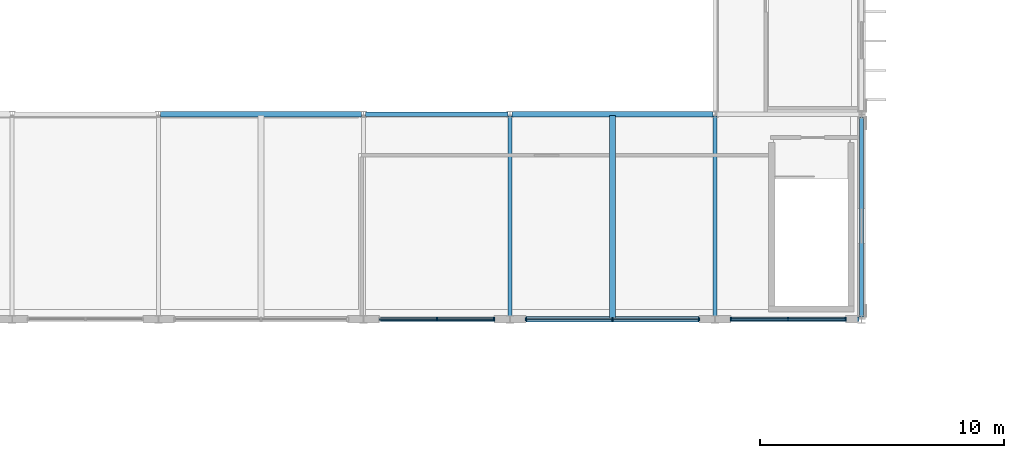
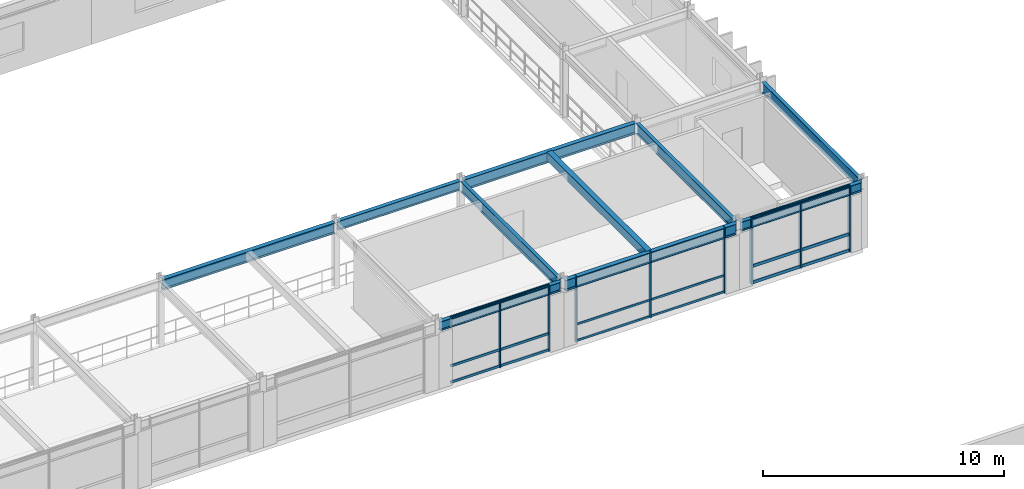
# One storey, part 21 of 88: 17 members, 10 beams, 3 elements without a shape of their own.
"""IFC4 building model written with IfcOpenShell, lengths in metres."""

from ifc_helpers import new_model, si_unit, direction, frame, origin, origin_2d, place, context, subcontext, project, spatial, rectangle, i_section, extrude, material, material_profile, profile_set, type_object, element, aggregate, save


model = new_model("IFC4")

# Units and contexts
model_context = context("Model", 3, precision=1e-05, world=origin(), true_north=direction((0.0, 1.0)))
body_context = subcontext(model_context, "Body", "Model", "MODEL_VIEW")
ifc_project = project(units=[si_unit("LENGTHUNIT", "METRE"), si_unit("AREAUNIT", "SQUARE_METRE"), si_unit("VOLUMEUNIT", "CUBIC_METRE"), si_unit("PLANEANGLEUNIT", "RADIAN"), si_unit("MASSUNIT", "GRAM", prefix="KILO"), si_unit("THERMODYNAMICTEMPERATUREUNIT", "KELVIN")], contexts=[model_context])

# Site, building, storey
site_placement = place(None, origin())
site = spatial("IfcSite", under=ifc_project, at=site_placement, CompositionType="ELEMENT")
building_placement = place(site_placement, origin())
building = spatial("IfcBuilding", under=site, at=building_placement, Name="Thalorik Housing Commons", CompositionType="ELEMENT")
storey_placement = place(building_placement, frame((0.0, 0.0, 4.5)))
storey = spatial("IfcBuildingStorey", under=building, at=storey_placement, Name="L01", CompositionType="ELEMENT", Elevation=4.5)

# Curtain wall, members
ifc_material_1 = material(Name="Anodised aluminium and solar-control low-E glass", Category="aluminium")
curtain_wall_type = type_object("IfcCurtainWallType", Name="ARC-CW-CIVIC", PredefinedType="USERDEFINED", material=ifc_material_1)
curtain_wall_1_placement = place(storey_placement, origin())
curtain_wall_1 = element("IfcCurtainWall", 1, at=curtain_wall_1_placement, inside=storey, type_object=curtain_wall_type, Name="L01 Curtain Wall CW-HALL-L01-218", ObjectType="CURTAIN WALL", PredefinedType="USERDEFINED")
ifc_material_2 = material(Name="Anodised aluminium 6063-T6", Category="aluminium")
ifc_material_profile_1 = material_profile(ifc_material_2, rectangle(XDim=0.054931640625, YDim=0.139892578125, at=origin_2d()), Name="ALU MUL 55x140", Category="aluminium")
ifc_profile_set_1 = profile_set([ifc_material_profile_1], Name="Anodised aluminium 6063-T6")
member_type_1 = type_object("IfcMemberType", Name="ARC-CW-MUL-55x140", PredefinedType="MULLION", material=ifc_profile_set_1)
member_1_placement = place(storey_placement, frame((101.449951171875, 57.60009765625, 0.0), z_axis=(0.0, 0.0, 1.0), x_axis=(1.0, 0.0, 0.0)))
member_1 = element("IfcMember", 2, at=member_1_placement, type_object=member_type_1, Name="CW-HALL-L01-218 Mullion 1", PredefinedType="MULLION", context=body_context, shape_type="SweptSolid", body=[
    extrude(rectangle(XDim=0.054931640625, YDim=0.139892578125, at=origin_2d()), origin(), (0.0, 0.0, 1.0), 3.340087890625),
])
member_2_placement = place(storey_placement, frame((105.0, 57.60009765625, 0.0), z_axis=(0.0, 0.0, 1.0), x_axis=(1.0, 0.0, 0.0)))
member_2 = element("IfcMember", 3, at=member_2_placement, type_object=member_type_1, Name="CW-HALL-L01-218 Mullion 2", PredefinedType="MULLION", context=body_context, shape_type="SweptSolid", body=[
    extrude(rectangle(XDim=0.054931640625, YDim=0.139892578125, at=origin_2d()), origin(), (0.0, 0.0, 1.0), 3.340087890625),
])
member_3_placement = place(storey_placement, frame((108.550048828125, 57.60009765625, 0.0), z_axis=(0.0, 0.0, 1.0), x_axis=(1.0, 0.0, 0.0)))
member_3 = element("IfcMember", 4, at=member_3_placement, type_object=member_type_1, Name="CW-HALL-L01-218 Mullion 3", PredefinedType="MULLION", context=body_context, shape_type="SweptSolid", body=[
    extrude(rectangle(XDim=0.054931640625, YDim=0.139892578125, at=origin_2d()), origin(), (0.0, 0.0, 1.0), 3.340087890625),
])

curtain_wall_2_placement = place(storey_placement, origin())
curtain_wall_2 = element("IfcCurtainWall", 5, at=curtain_wall_2_placement, inside=storey, type_object=curtain_wall_type, Name="L01 Curtain Wall CW-HALL-L01-217", ObjectType="CURTAIN WALL", PredefinedType="USERDEFINED")
ifc_material_profile_2 = material_profile(ifc_material_2, rectangle(XDim=0.06005859375, YDim=0.159912109375, at=origin_2d()), Name="ALU MUL 60x160", Category="aluminium")
ifc_profile_set_2 = profile_set([ifc_material_profile_2], Name="Anodised aluminium 6063-T6")
member_type_2 = type_object("IfcMemberType", Name="ARC-CW-MUL-60x160", PredefinedType="MULLION", material=ifc_profile_set_2)
member_4_placement = place(storey_placement, frame((97.800048828125, 57.60009765625, 0.0), z_axis=(0.0, 0.0, 1.0), x_axis=(1.0, 0.0, 0.0)))
member_4 = element("IfcMember", 6, at=member_4_placement, type_object=member_type_2, Name="CW-HALL-L01-217 Mullion 2", PredefinedType="MULLION", context=body_context, shape_type="SweptSolid", body=[
    extrude(rectangle(XDim=0.06005859375, YDim=0.159912109375, at=origin_2d()), origin(), (0.0, 0.0, 1.0), 3.340087890625),
])
member_5_placement = place(storey_placement, frame((100.14990234375, 57.60009765625, 0.0), z_axis=(0.0, 0.0, 1.0), x_axis=(1.0, 0.0, 0.0)))
member_5 = element("IfcMember", 7, at=member_5_placement, type_object=member_type_2, Name="CW-HALL-L01-217 Mullion 3", PredefinedType="MULLION", context=body_context, shape_type="SweptSolid", body=[
    extrude(rectangle(XDim=0.06005859375, YDim=0.159912109375, at=origin_2d()), origin(), (0.0, 0.0, 1.0), 3.340087890625),
])

curtain_wall_3_placement = place(storey_placement, origin())
curtain_wall_3 = element("IfcCurtainWall", 8, at=curtain_wall_3_placement, inside=storey, type_object=curtain_wall_type, Name="L01 Curtain Wall CW-HALL-L01-219", ObjectType="CURTAIN WALL", PredefinedType="USERDEFINED")
ifc_material_profile_3 = material_profile(ifc_material_2, rectangle(XDim=0.06494140625, YDim=0.179931640625, at=origin_2d()), Name="ALU MUL 65x180", Category="aluminium")
ifc_profile_set_3 = profile_set([ifc_material_profile_3], Name="Anodised aluminium 6063-T6")
member_type_3 = type_object("IfcMemberType", Name="ARC-CW-MUL-65x180", PredefinedType="MULLION", material=ifc_profile_set_3)
member_6_placement = place(storey_placement, frame((109.85009765625, 57.60009765625, 0.0), z_axis=(0.0, 0.0, 1.0), x_axis=(1.0, 0.0, 0.0)))
member_6 = element("IfcMember", 9, at=member_6_placement, type_object=member_type_3, Name="CW-HALL-L01-219 Mullion 1", PredefinedType="MULLION", context=body_context, shape_type="SweptSolid", body=[
    extrude(rectangle(XDim=0.06494140625, YDim=0.179931640625, at=origin_2d()), origin(), (0.0, 0.0, 1.0), 3.340087890625),
])
member_7_placement = place(storey_placement, frame((112.199951171875, 57.60009765625, 0.0), z_axis=(0.0, 0.0, 1.0), x_axis=(1.0, 0.0, 0.0)))
member_7 = element("IfcMember", 10, at=member_7_placement, type_object=member_type_3, Name="CW-HALL-L01-219 Mullion 2", PredefinedType="MULLION", context=body_context, shape_type="SweptSolid", body=[
    extrude(rectangle(XDim=0.06494140625, YDim=0.179931640625, at=origin_2d()), origin(), (0.0, 0.0, 1.0), 3.340087890625),
])
member_8_placement = place(storey_placement, frame((114.550048828125, 57.60009765625, 0.0), z_axis=(0.0, 0.0, 1.0), x_axis=(1.0, 0.0, 0.0)))
member_8 = element("IfcMember", 11, at=member_8_placement, type_object=member_type_3, Name="CW-HALL-L01-219 Mullion 3", PredefinedType="MULLION", context=body_context, shape_type="SweptSolid", body=[
    extrude(rectangle(XDim=0.06494140625, YDim=0.179931640625, at=origin_2d()), origin(), (0.0, 0.0, 1.0), 3.340087890625),
])

# Member
ifc_material_profile_4 = material_profile(ifc_material_2, rectangle(XDim=0.054931640625, YDim=0.10498046875, at=origin_2d()), Name="ALU TRN 55x105", Category="aluminium")
ifc_profile_set_4 = profile_set([ifc_material_profile_4], Name="Anodised aluminium 6063-T6")
member_type_4 = type_object("IfcMemberType", Name="ARC-CW-TRN-55x105", PredefinedType="USERDEFINED", material=ifc_profile_set_4)
member_9_placement = place(storey_placement, frame((101.449951171875, 57.60009765625, 0.054931640625), z_axis=(1.0, 0.0, 0.0), x_axis=(0.0, 1.0, 0.0)))
member_9 = element("IfcMember", 12, at=member_9_placement, type_object=member_type_4, Name="CW-HALL-L01-218 Transom 1", ObjectType="TRANSOM", PredefinedType="USERDEFINED", context=body_context, shape_type="SweptSolid", body=[
    extrude(rectangle(XDim=0.054931640625, YDim=0.10498046875, at=origin_2d()), origin(), (0.0, 0.0, 1.0), 7.10009765625),
])

member_10_placement = place(storey_placement, frame((101.449951171875, 57.60009765625, 0.8798828125), z_axis=(1.0, 0.0, 0.0), x_axis=(0.0, 1.0, 0.0)))
member_10 = element("IfcMember", 13, at=member_10_placement, type_object=member_type_4, Name="CW-HALL-L01-218 Transom 2", ObjectType="TRANSOM", PredefinedType="USERDEFINED", context=body_context, shape_type="SweptSolid", body=[
    extrude(rectangle(XDim=0.054931640625, YDim=0.10498046875, at=origin_2d()), origin(), (0.0, 0.0, 1.0), 7.10009765625),
])

member_11_placement = place(storey_placement, frame((101.449951171875, 57.60009765625, 3.284912109375), z_axis=(1.0, 0.0, 0.0), x_axis=(0.0, 1.0, 0.0)))
member_11 = element("IfcMember", 14, at=member_11_placement, type_object=member_type_4, Name="CW-HALL-L01-218 Transom 3", ObjectType="TRANSOM", PredefinedType="USERDEFINED", context=body_context, shape_type="SweptSolid", body=[
    extrude(rectangle(XDim=0.054931640625, YDim=0.10498046875, at=origin_2d()), origin(), (0.0, 0.0, 1.0), 7.10009765625),
])

aggregate(curtain_wall_1, [member_1, member_2, member_3, member_9, member_10, member_11])

ifc_material_profile_5 = material_profile(ifc_material_2, rectangle(XDim=0.06005859375, YDim=0.1201171875, at=origin_2d()), Name="ALU TRN 60x120", Category="aluminium")
ifc_profile_set_5 = profile_set([ifc_material_profile_5], Name="Anodised aluminium 6063-T6")
member_type_5 = type_object("IfcMemberType", Name="ARC-CW-TRN-60x120", PredefinedType="USERDEFINED", material=ifc_profile_set_5)
member_12_placement = place(storey_placement, frame((95.449951171875, 57.60009765625, 0.054931640625), z_axis=(1.0, 0.0, 0.0), x_axis=(0.0, 1.0, 0.0)))
member_12 = element("IfcMember", 15, at=member_12_placement, type_object=member_type_5, Name="CW-HALL-L01-217 Transom 1", ObjectType="TRANSOM", PredefinedType="USERDEFINED", context=body_context, shape_type="SweptSolid", body=[
    extrude(rectangle(XDim=0.06005859375, YDim=0.1201171875, at=origin_2d()), origin(), (0.0, 0.0, 1.0), 4.699951171875),
])

member_13_placement = place(storey_placement, frame((95.449951171875, 57.60009765625, 0.8798828125), z_axis=(1.0, 0.0, 0.0), x_axis=(0.0, 1.0, 0.0)))
member_13 = element("IfcMember", 16, at=member_13_placement, type_object=member_type_5, Name="CW-HALL-L01-217 Transom 2", ObjectType="TRANSOM", PredefinedType="USERDEFINED", context=body_context, shape_type="SweptSolid", body=[
    extrude(rectangle(XDim=0.06005859375, YDim=0.1201171875, at=origin_2d()), origin(), (0.0, 0.0, 1.0), 4.699951171875),
])

member_14_placement = place(storey_placement, frame((95.449951171875, 57.60009765625, 3.284912109375), z_axis=(1.0, 0.0, 0.0), x_axis=(0.0, 1.0, 0.0)))
member_14 = element("IfcMember", 17, at=member_14_placement, type_object=member_type_5, Name="CW-HALL-L01-217 Transom 3", ObjectType="TRANSOM", PredefinedType="USERDEFINED", context=body_context, shape_type="SweptSolid", body=[
    extrude(rectangle(XDim=0.06005859375, YDim=0.1201171875, at=origin_2d()), origin(), (0.0, 0.0, 1.0), 4.699951171875),
])

aggregate(curtain_wall_2, [member_4, member_5, member_12, member_13, member_14])

ifc_material_profile_6 = material_profile(ifc_material_2, rectangle(XDim=0.06494140625, YDim=0.14990234375, at=origin_2d()), Name="ALU TRN 65x150", Category="aluminium")
ifc_profile_set_6 = profile_set([ifc_material_profile_6], Name="Anodised aluminium 6063-T6")
member_type_6 = type_object("IfcMemberType", Name="ARC-CW-TRN-65x150", PredefinedType="USERDEFINED", material=ifc_profile_set_6)
member_15_placement = place(storey_placement, frame((109.85009765625, 57.60009765625, 0.054931640625), z_axis=(1.0, 0.0, 0.0), x_axis=(0.0, 1.0, 0.0)))
member_15 = element("IfcMember", 18, at=member_15_placement, type_object=member_type_6, Name="CW-HALL-L01-219 Transom 1", ObjectType="TRANSOM", PredefinedType="USERDEFINED", context=body_context, shape_type="SweptSolid", body=[
    extrude(rectangle(XDim=0.06494140625, YDim=0.14990234375, at=origin_2d()), origin(), (0.0, 0.0, 1.0), 4.699951171875),
])

member_16_placement = place(storey_placement, frame((109.85009765625, 57.60009765625, 0.8798828125), z_axis=(1.0, 0.0, 0.0), x_axis=(0.0, 1.0, 0.0)))
member_16 = element("IfcMember", 19, at=member_16_placement, type_object=member_type_6, Name="CW-HALL-L01-219 Transom 2", ObjectType="TRANSOM", PredefinedType="USERDEFINED", context=body_context, shape_type="SweptSolid", body=[
    extrude(rectangle(XDim=0.06494140625, YDim=0.14990234375, at=origin_2d()), origin(), (0.0, 0.0, 1.0), 4.699951171875),
])

member_17_placement = place(storey_placement, frame((109.85009765625, 57.60009765625, 3.284912109375), z_axis=(1.0, 0.0, 0.0), x_axis=(0.0, 1.0, 0.0)))
member_17 = element("IfcMember", 20, at=member_17_placement, type_object=member_type_6, Name="CW-HALL-L01-219 Transom 3", ObjectType="TRANSOM", PredefinedType="USERDEFINED", context=body_context, shape_type="SweptSolid", body=[
    extrude(rectangle(XDim=0.06494140625, YDim=0.14990234375, at=origin_2d()), origin(), (0.0, 0.0, 1.0), 4.699951171875),
])

aggregate(curtain_wall_3, [member_6, member_7, member_8, member_15, member_16, member_17])

# Beams
ifc_material_3 = material(Name="Steel S355", Category="steel")
ifc_material_profile_7 = material_profile(ifc_material_3, i_section(OverallWidth=0.19189453125, OverallDepth=0.462890625, WebThickness=0.010498046875, FlangeThickness=0.017578125, FilletRadius=0.011962890625, at=origin_2d()), Name="W460x89", Category="steel")
ifc_profile_set_7 = profile_set([ifc_material_profile_7], Name="Steel S355")
beam_type_1 = type_object("IfcBeamType", Name="STR-BM-W460x89", PredefinedType="BEAM", material=ifc_profile_set_7)
for number, where, z_axis, x_axis, name in (
    (21, (94.905029296875, 57.60009765625, 3.1083984375), (1.0, 0.0, 0.0), (0.0, 1.0, 0.0), "L01 Beam SB-460"),
    (22, (109.304931640625, 57.60009765625, 3.1083984375), (1.0, 0.0, 0.0), (0.0, 1.0, 0.0), "L01 Beam SB-460"),
):
    element("IfcBeam", number, at=place(storey_placement, frame(where, z_axis=z_axis, x_axis=x_axis)), inside=storey, type_object=beam_type_1, Name=name, PredefinedType="BEAM", context=body_context, shape_type="SweptSolid", body=[
        extrude(i_section(OverallWidth=0.19189453125, OverallDepth=0.462890625, WebThickness=0.010498046875, FlangeThickness=0.017578125, FilletRadius=0.011962890625, at=origin_2d()), origin(), (0.0, 0.0, 1.0), 5.7900390625),
    ])
beam_1_placement = place(storey_placement, frame((94.8798828125, 66.0, 3.1083984375), z_axis=(1.0, 0.0, 0.0), x_axis=(0.0, 1.0, 0.0)))
element("IfcBeam", 23, at=beam_1_placement, inside=storey, type_object=beam_type_1, Name="L01 Beam SB-460", PredefinedType="BEAM", context=body_context, shape_type="SweptSolid", body=[
    extrude(i_section(OverallWidth=0.19189453125, OverallDepth=0.462890625, WebThickness=0.010498046875, FlangeThickness=0.017578125, FilletRadius=0.011962890625, at=origin_2d()), origin(), (0.0, 0.0, 1.0), 5.840087890625),
])
ifc_material_profile_8 = material_profile(ifc_material_3, i_section(OverallWidth=0.2109375, OverallDepth=0.5390625, WebThickness=0.01171875, FlangeThickness=0.018798828125, FilletRadius=0.012939453125, at=origin_2d()), Name="W530x109", Category="steel")
ifc_profile_set_8 = profile_set([ifc_material_profile_8], Name="Steel S355")
beam_type_2 = type_object("IfcBeamType", Name="STR-BM-W530x109", PredefinedType="BEAM", material=ifc_profile_set_8)
beam_2_placement = place(storey_placement, frame((100.905029296875, 57.60009765625, 3.070556640625), z_axis=(1.0, 0.0, 0.0), x_axis=(0.0, 1.0, 0.0)))
element("IfcBeam", 24, at=beam_2_placement, inside=storey, type_object=beam_type_2, Name="L01 Beam SB-530", PredefinedType="BEAM", context=body_context, shape_type="SweptSolid", body=[
    extrude(i_section(OverallWidth=0.2109375, OverallDepth=0.5390625, WebThickness=0.01171875, FlangeThickness=0.018798828125, FilletRadius=0.012939453125, at=origin_2d()), origin(), (0.0, 0.0, 1.0), 8.18994140625),
])
beam_3_placement = place(storey_placement, frame((86.47998046875, 66.0, 3.070556640625), z_axis=(1.0, 0.0, 0.0), x_axis=(0.0, 1.0, 0.0)))
element("IfcBeam", 25, at=beam_3_placement, inside=storey, type_object=beam_type_2, Name="L01 Beam SB-530", PredefinedType="BEAM", context=body_context, shape_type="SweptSolid", body=[
    extrude(i_section(OverallWidth=0.2109375, OverallDepth=0.5390625, WebThickness=0.01171875, FlangeThickness=0.018798828125, FilletRadius=0.012939453125, at=origin_2d()), origin(), (0.0, 0.0, 1.0), 8.239990234375),
])
beam_4_placement = place(storey_placement, frame((100.8798828125, 66.0, 3.070556640625), z_axis=(1.0, 0.0, 0.0), x_axis=(0.0, 1.0, 0.0)))
element("IfcBeam", 26, at=beam_4_placement, inside=storey, type_object=beam_type_2, Name="L01 Beam SB-530", PredefinedType="BEAM", context=body_context, shape_type="SweptSolid", body=[
    extrude(i_section(OverallWidth=0.2109375, OverallDepth=0.5390625, WebThickness=0.01171875, FlangeThickness=0.018798828125, FilletRadius=0.012939453125, at=origin_2d()), origin(), (0.0, 0.0, 1.0), 8.240234375),
])
ifc_material_profile_9 = material_profile(ifc_material_3, i_section(OverallWidth=0.166015625, OverallDepth=0.534912109375, WebThickness=0.01025390625, FlangeThickness=0.0166015625, FilletRadius=0.012939453125, at=origin_2d()), Name="W530x85", Category="steel")
ifc_profile_set_9 = profile_set([ifc_material_profile_9], Name="Steel S355")
beam_type_3 = type_object("IfcBeamType", Name="STR-BM-W530x85", PredefinedType="BEAM", material=ifc_profile_set_9)
for number, where, z_axis, x_axis, name in (
    (27, (100.800048828125, 57.7041015625, 3.072509765625), (0.0, 1.0, 0.0), (-1.0, 0.0, 0.0), "L01 Beam SB-535"),
    (28, (109.199951171875, 57.7041015625, 3.072509765625), (0.0, 1.0, 0.0), (-1.0, 0.0, 0.0), "L01 Beam SB-535"),
):
    element("IfcBeam", number, at=place(storey_placement, frame(where, z_axis=z_axis, x_axis=x_axis)), inside=storey, type_object=beam_type_3, Name=name, PredefinedType="BEAM", context=body_context, shape_type="SweptSolid", body=[
        extrude(i_section(OverallWidth=0.166015625, OverallDepth=0.534912109375, WebThickness=0.01025390625, FlangeThickness=0.0166015625, FilletRadius=0.012939453125, at=origin_2d()), origin(), (0.0, 0.0, 1.0), 8.218994140625),
    ])
beam_5_placement = place(storey_placement, frame((115.199951171875, 57.7041015625, 3.072509765625), z_axis=(0.0, 1.0, 0.0), x_axis=(-1.0, 0.0, 0.0)))
element("IfcBeam", 29, at=beam_5_placement, inside=storey, type_object=beam_type_3, Name="L01 Beam SB-535", PredefinedType="BEAM", context=body_context, shape_type="SweptSolid", body=[
    extrude(i_section(OverallWidth=0.166015625, OverallDepth=0.534912109375, WebThickness=0.01025390625, FlangeThickness=0.0166015625, FilletRadius=0.012939453125, at=origin_2d()), origin(), (0.0, 0.0, 1.0), 8.19189453125),
])
ifc_material_4 = material(Name="Precast concrete C40/50", Category="concrete")
ifc_material_profile_10 = material_profile(ifc_material_4, rectangle(XDim=0.239990234375, YDim=0.43994140625, at=origin_2d()), Name="PC JST 240x440", Category="concrete")
ifc_profile_set_10 = profile_set([ifc_material_profile_10], Name="Precast concrete C40/50")
beam_type_4 = type_object("IfcBeamType", Name="STR-JST-PC240x440", PredefinedType="JOIST", material=ifc_profile_set_10)
beam_6_placement = place(storey_placement, frame((105.0, 57.655517578125, 3.1201171875), z_axis=(0.0, 1.0, 0.0), x_axis=(-1.0, 0.0, 0.0)))
element("IfcBeam", 30, at=beam_6_placement, inside=storey, type_object=beam_type_4, Name="L01 Beam J-440", PredefinedType="JOIST", context=body_context, shape_type="SweptSolid", body=[
    extrude(rectangle(XDim=0.239990234375, YDim=0.43994140625, at=origin_2d()), origin(), (0.0, 0.0, 1.0), 8.2890625),
])

save(model, "model.ifc")
